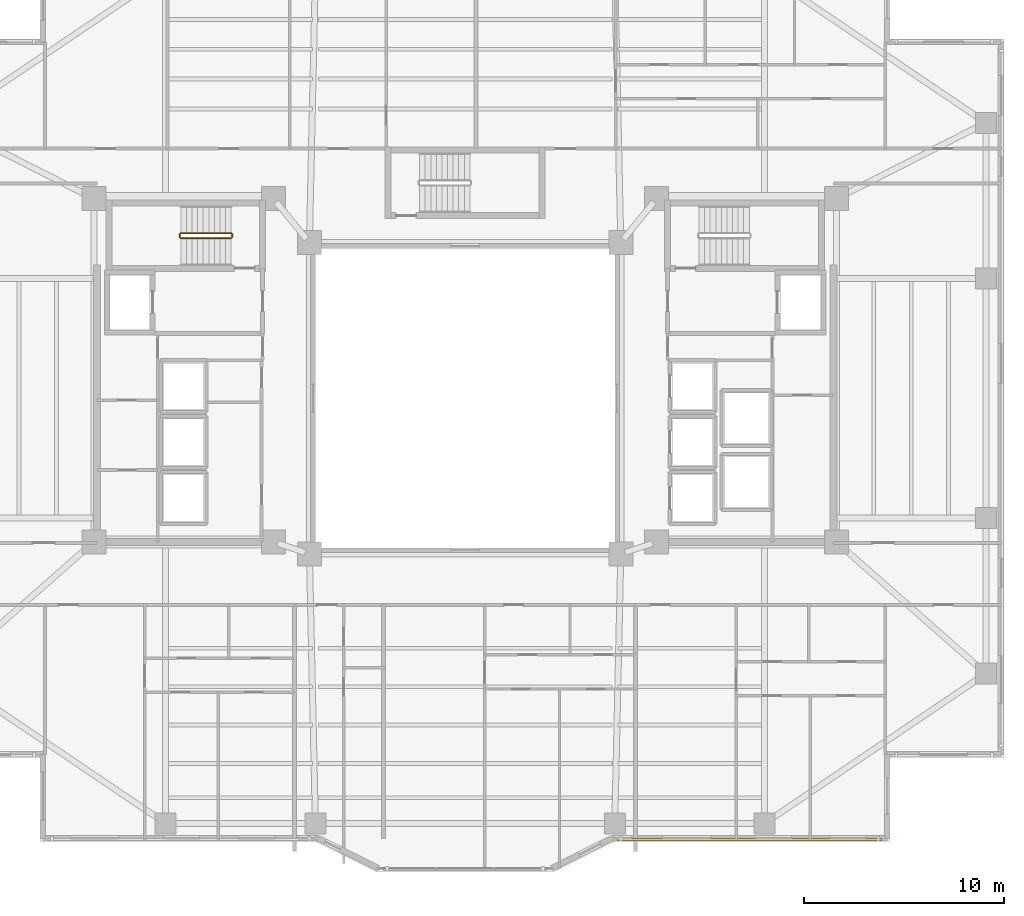
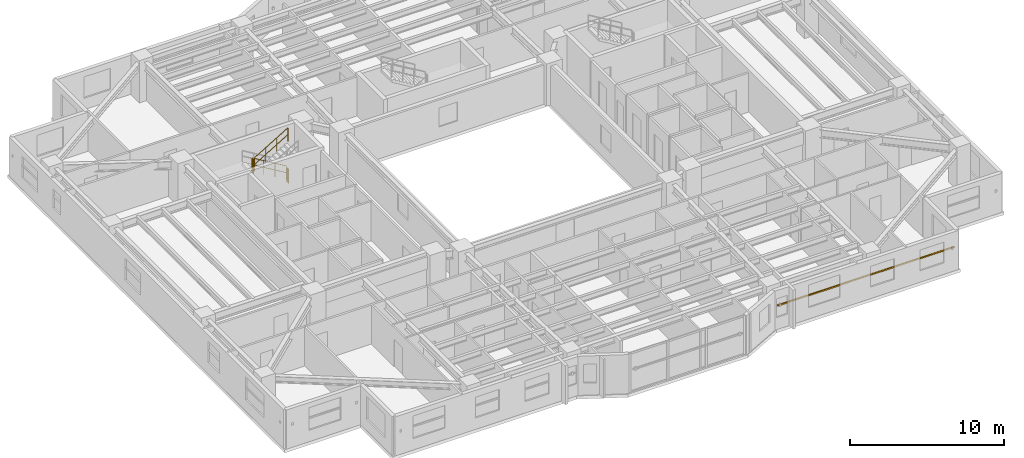
# One storey, part 15 of 18: 4 railings, 1 shading device.
"""IFC4 building model written with IfcOpenShell, lengths in metres."""

from ifc_helpers import new_model, si_unit, direction, frame, origin, origin_2d, place, context, subcontext, project, spatial, rectangle, circle, extrude, material, material_profile, profile_set, type_object, element, save


model = new_model("IFC4")

# Units and contexts
model_context = context("Model", 3, precision=1e-05, world=origin(), true_north=direction((0.0, 1.0)))
body_context = subcontext(model_context, "Body", "Model", "MODEL_VIEW")
ifc_project = project(units=[si_unit("LENGTHUNIT", "METRE"), si_unit("AREAUNIT", "SQUARE_METRE"), si_unit("VOLUMEUNIT", "CUBIC_METRE"), si_unit("PLANEANGLEUNIT", "RADIAN"), si_unit("MASSUNIT", "GRAM", prefix="KILO")], contexts=[model_context])

# Site, building, storey
site_placement = place(None, origin())
site = spatial("IfcSite", under=ifc_project, at=site_placement, CompositionType="ELEMENT")
building_placement = place(site_placement, origin())
building = spatial("IfcBuilding", under=site, at=building_placement, Name="Tarnavaz Court Tower", CompositionType="ELEMENT")
storey_placement = place(building_placement, frame((0.0, 0.0, 88.35009765625)))
storey = spatial("IfcBuildingStorey", under=building, at=storey_placement, Name="L23", CompositionType="ELEMENT", Elevation=88.35009765625)

# Railings
ifc_material_1 = material(Name="Galvanized Painted Tubular Steel", Category="steel")
railing_type = type_object("IfcRailingType", Name="RL-STGUARD-1120", PredefinedType="GUARDRAIL", material=ifc_material_1)
railing_1_placement = place(storey_placement, frame((-11.719970703125, 8.27001953125, 0.16748046875)))
element("IfcRailing", 1, at=railing_1_placement, inside=storey, type_object=railing_type, Name="L23 ST-W1 stair guard 1", PredefinedType="GUARDRAIL", context=body_context, shape_type="SweptSolid", body=[
    extrude(circle(Radius=0.02392578125, at=origin_2d()), frame((0.0, 0.0, 1.09619140625), z_axis=(-0.858196387827, 0.0, 0.513321497621), x_axis=(0.0, -1.0, 0.0)), (0.0, 0.0, 1.0), 2.9365234375),
    extrude(circle(Radius=0.02392578125, at=origin_2d()), frame((0.0, 0.0, 0.56005859375), z_axis=(-0.858196387827, 0.0, 0.513321497621), x_axis=(0.0, -1.0, 0.0)), (0.0, 0.0, 1.0), 2.9365234375),
    extrude(circle(Radius=0.02099609375, at=origin_2d()), origin(), (0.0, 0.0, 1.0), 1.072021484375),
    extrude(circle(Radius=0.02099609375, at=origin_2d()), frame((-0.840087890625, 0.0, 0.50244140625)), (0.0, 0.0, 1.0), 1.072021484375),
    extrude(circle(Radius=0.02099609375, at=origin_2d()), frame((-1.679931640625, 0.0, 1.0048828125)), (0.0, 0.0, 1.0), 1.072021484375),
    extrude(circle(Radius=0.02099609375, at=origin_2d()), frame((-2.52001953125, 0.0, 1.50732421875)), (0.0, 0.0, 1.0), 1.072021484375),
])
railing_2_placement = place(storey_placement, frame((-14.2900390625, 8.219970703125, 1.6748046875)))
element("IfcRailing", 2, at=railing_2_placement, inside=storey, type_object=railing_type, Name="L23 ST-W1 stair guard 2", PredefinedType="GUARDRAIL", context=body_context, shape_type="SweptSolid", body=[
    extrude(circle(Radius=0.02392578125, at=origin_2d()), frame((0.0, 0.0, 1.09619140625), z_axis=(0.0, -1.0, 0.0), x_axis=(1.0, 0.0, 0.0)), (0.0, 0.0, 1.0), 0.14990234375),
    extrude(circle(Radius=0.02392578125, at=origin_2d()), frame((0.0, 0.0, 0.56005859375), z_axis=(0.0, -1.0, 0.0), x_axis=(1.0, 0.0, 0.0)), (0.0, 0.0, 1.0), 0.14990234375),
    extrude(circle(Radius=0.02099609375, at=origin_2d()), origin(), (0.0, 0.0, 1.0), 1.072021484375),
    extrude(circle(Radius=0.02099609375, at=origin_2d()), frame((0.0, -0.14990234375, 0.0)), (0.0, 0.0, 1.0), 1.072021484375),
])
railing_3_placement = place(storey_placement, frame((-14.239990234375, 8.02001953125, 1.84228515625)))
element("IfcRailing", 3, at=railing_3_placement, inside=storey, type_object=railing_type, Name="L23 ST-W1 stair guard 3", PredefinedType="GUARDRAIL", context=body_context, shape_type="SweptSolid", body=[
    extrude(circle(Radius=0.02392578125, at=origin_2d()), frame((0.0, 0.0, 1.09619140625), z_axis=(0.858159760407, 0.0, 0.513382728203), x_axis=(0.0, 1.0, 0.0)), (0.0, 0.0, 1.0), 2.9365234375),
    extrude(circle(Radius=0.02392578125, at=origin_2d()), frame((0.0, 0.0, 0.56005859375), z_axis=(0.858159760407, 0.0, 0.513382728203), x_axis=(0.0, 1.0, 0.0)), (0.0, 0.0, 1.0), 2.9365234375),
    extrude(circle(Radius=0.02099609375, at=origin_2d()), origin(), (0.0, 0.0, 1.0), 1.072021484375),
    extrude(circle(Radius=0.02099609375, at=origin_2d()), frame((0.840087890625, 0.0, 0.50244140625)), (0.0, 0.0, 1.0), 1.072021484375),
    extrude(circle(Radius=0.02099609375, at=origin_2d()), frame((1.679931640625, 0.0, 1.005126953125)), (0.0, 0.0, 1.0), 1.072021484375),
    extrude(circle(Radius=0.02099609375, at=origin_2d()), frame((2.52001953125, 0.0, 1.507568359375)), (0.0, 0.0, 1.0), 1.072021484375),
])
railing_4_placement = place(storey_placement, frame((-11.669921875, 8.219970703125, 0.0)))
element("IfcRailing", 4, at=railing_4_placement, inside=storey, type_object=railing_type, Name="L23 ST-W1 stair guard 4", PredefinedType="GUARDRAIL", context=body_context, shape_type="SweptSolid", body=[
    extrude(circle(Radius=0.02392578125, at=origin_2d()), frame((0.0, 0.0, 1.09619140625), z_axis=(0.0, -1.0, 0.0), x_axis=(1.0, 0.0, 0.0)), (0.0, 0.0, 1.0), 0.14990234375),
    extrude(circle(Radius=0.02392578125, at=origin_2d()), frame((0.0, 0.0, 0.56005859375), z_axis=(0.0, -1.0, 0.0), x_axis=(1.0, 0.0, 0.0)), (0.0, 0.0, 1.0), 0.14990234375),
    extrude(circle(Radius=0.02099609375, at=origin_2d()), origin(), (0.0, 0.0, 1.0), 1.072021484375),
    extrude(circle(Radius=0.02099609375, at=origin_2d()), frame((0.0, -0.14990234375, 0.0)), (0.0, 0.0, 1.0), 1.072021484375),
])

# Shading device
ifc_material_2 = material(Name="Kiln-Fired Khorasan Terracotta Ceramic", Category="masonry")
ifc_material_profile = material_profile(ifc_material_2, rectangle(XDim=0.1201171875, YDim=0.06005859375, at=origin_2d()), Name="TC BAGUETTE 120X60")
ifc_profile_set = profile_set([ifc_material_profile], Name="Kiln-Fired Khorasan Terracotta Ceramic")
shading_device_type = type_object("IfcShadingDeviceType", Name="SD-BAG-120", PredefinedType="USERDEFINED", material=ifc_profile_set)
shading_device_placement = place(storey_placement, frame((20.89990234375, -22.110107421875, 1.849853515625), z_axis=(-1.0, 0.0, 0.0), x_axis=(0.0, -1.0, 0.0)))
element("IfcShadingDevice", 5, at=shading_device_placement, inside=storey, type_object=shading_device_type, Name="L23 Terracotta Baguette Screen FBG15", ObjectType="BAGUETTE", PredefinedType="USERDEFINED", context=body_context, shape_type="SweptSolid", body=[
    extrude(rectangle(XDim=0.1201171875, YDim=0.06005859375, at=origin_2d()), origin(), (0.0, 0.0, 1.0), 13.2998046875),
])

save(model, "model.ifc")
